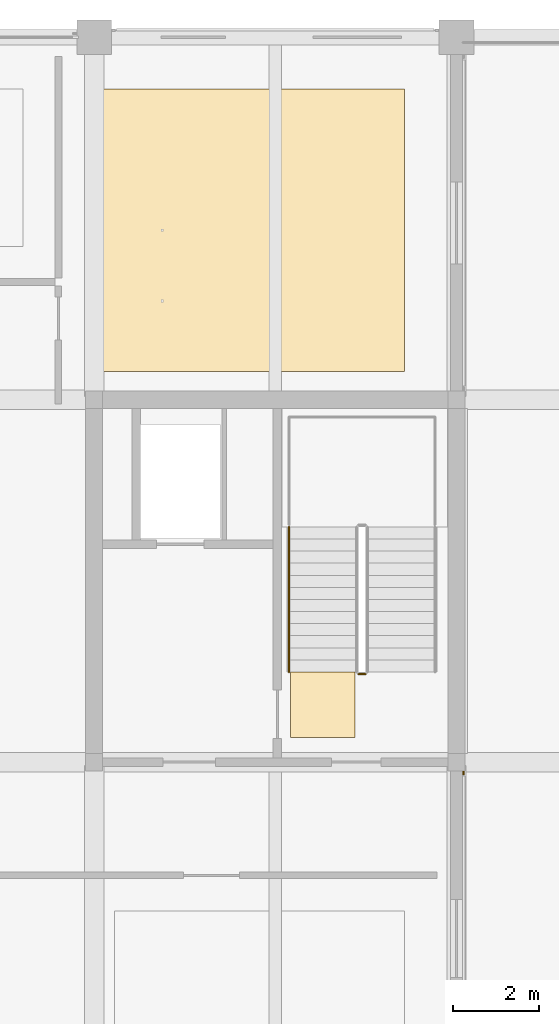
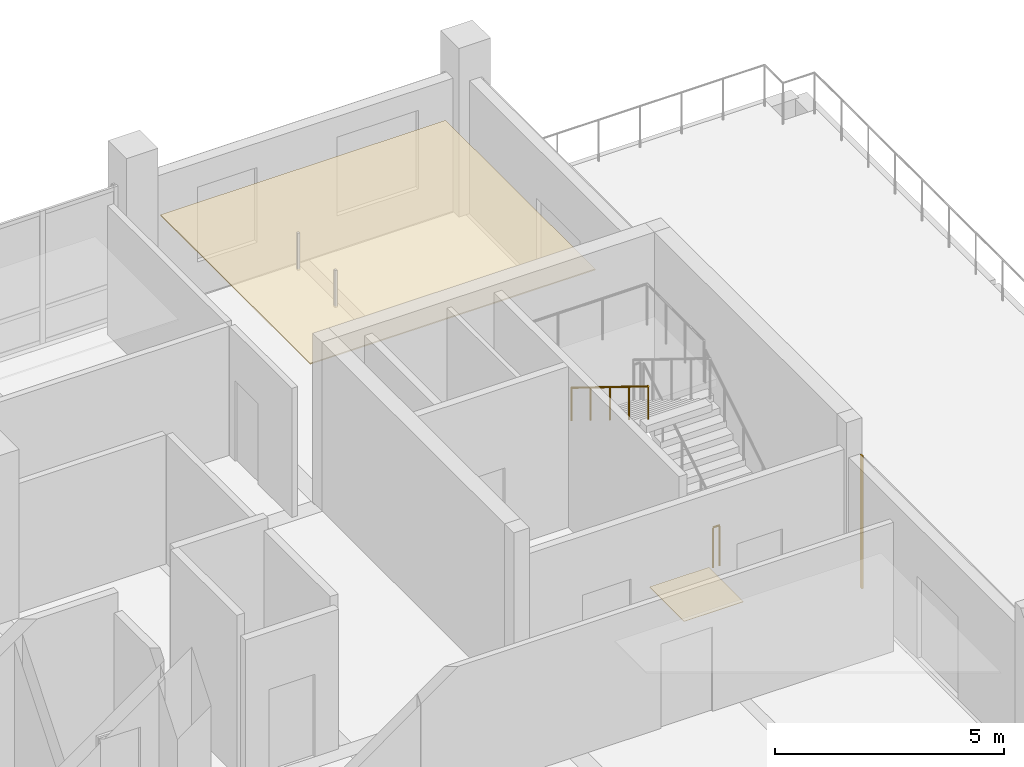
# One storey, part 31 of 36: 3 coverings, 2 railings.
"""IFC4 building model written with IfcOpenShell, lengths in metres."""

from ifc_helpers import new_model, si_unit, direction, frame, origin, origin_2d, place, context, subcontext, project, spatial, polyline, rectangle, circle, outline, extrude, material, layer, layer_set, type_object, element, save


model = new_model("IFC4")

# Units and contexts
model_context = context("Model", 3, precision=1e-05, world=origin(), true_north=direction((0.0, 1.0)))
body_context = subcontext(model_context, "Body", "Model", "MODEL_VIEW")
ifc_project = project(units=[si_unit("LENGTHUNIT", "METRE"), si_unit("AREAUNIT", "SQUARE_METRE"), si_unit("VOLUMEUNIT", "CUBIC_METRE"), si_unit("PLANEANGLEUNIT", "RADIAN"), si_unit("MASSUNIT", "GRAM", prefix="KILO")], contexts=[model_context])

# Site, building, storey
site_placement = place(None, origin())
site = spatial("IfcSite", under=ifc_project, at=site_placement, CompositionType="ELEMENT")
building_placement = place(site_placement, origin())
building = spatial("IfcBuilding", under=site, at=building_placement, Name="Telukmera Botanical Conservatory", CompositionType="ELEMENT")
storey_placement = place(building_placement, frame((0.0, 0.0, 33.0)))
storey = spatial("IfcBuildingStorey", under=building, at=storey_placement, Name="L07", CompositionType="ELEMENT", Elevation=33.0)

# Coverings
ifc_material_1 = material(Name="Mineral fibre acoustic ceiling")
ifc_layer_1 = layer(ifc_material_1, 0.030029296875)
ifc_layer_set_1 = layer_set([ifc_layer_1], Name="Mineral fibre acoustic ceiling")
covering_type_1 = type_object("IfcCoveringType", Name="COV-CEIL-30", PredefinedType="CEILING", material=ifc_layer_set_1)
covering_1_placement = place(storey_placement, frame((0.0, 0.0, 3.320068359375)))
element("IfcCovering", 1, at=covering_1_placement, inside=storey, type_object=covering_type_1, Name="L07 Laboratory Write-Up Studio Suspended Acoustic Ceiling", PredefinedType="CEILING", context=body_context, shape_type="SweptSolid", body=[
    extrude(outline(polyline([(92.39990234375, 35.050048828125), (99.60009765625, 35.050048828125), (99.60009765625, 41.60009765625), (92.39990234375, 41.60009765625), (92.39990234375, 35.050048828125)])), origin(), (0.0, 0.0, 1.0), 0.030029296875),
])
ifc_material_2 = material(Name="Honed granite non-slip flooring", Category="masonry")
ifc_layer_2 = layer(ifc_material_2, 0.011962890625)
ifc_layer_set_2 = layer_set([ifc_layer_2], Name="Honed granite non-slip flooring")
covering_type_2 = type_object("IfcCoveringType", Name="COV-FLR-12", PredefinedType="FLOORING", material=ifc_layer_set_2)
covering_2_placement = place(storey_placement, origin())
element("IfcCovering", 2, at=covering_2_placement, inside=storey, type_object=covering_type_2, Name="L07 ST2 Non-Slip Stair Landing Finish", PredefinedType="FLOORING", context=body_context, shape_type="SweptSolid", body=[
    extrude(outline(polyline([(98.449951171875, 26.570068359375), (98.449951171875, 28.0849609375), (96.949951171875, 28.0849609375), (96.949951171875, 26.570068359375), (98.449951171875, 26.570068359375)])), origin(), (0.0, 0.0, 1.0), 0.011962890625),
])
ifc_material_3 = material(Name="Granite-faced precast concrete C40/50", Category="masonry")
ifc_layer_3 = layer(ifc_material_3, 0.0400390625)
ifc_layer_set_3 = layer_set([ifc_layer_3], Name="Granite-faced precast concrete C40/50")
covering_type_3 = type_object("IfcCoveringType", Name="Granite Precast Column Pier Reveal Casing", PredefinedType="CLADDING", material=ifc_layer_set_3)
covering_3_placement = place(storey_placement, frame((100.9599609375, 25.748046875, 0.0), z_axis=(0.0, 0.0, 1.0), x_axis=(0.0, 1.0, 0.0)))
element("IfcCovering", 3, at=covering_3_placement, inside=storey, type_object=covering_type_3, Name="Granite Pier Reveal V4:L07:E2 R", PredefinedType="CLADDING", context=body_context, shape_type="SweptSolid", body=[
    extrude(rectangle(XDim=0.080078125, YDim=0.0400390625, at=origin_2d()), origin(), (0.0, 0.0, 1.0), 3.550048828125),
])

# Railings
ifc_material_4 = material(Name="Steel S355", Category="steel")
railing_type_1 = type_object("IfcRailingType", Name="RL-GUARD-1100", PredefinedType="GUARDRAIL", material=ifc_material_4)
railing_1_placement = place(storey_placement, frame((98.68994140625, 28.0400390625, 0.0)))
element("IfcRailing", 4, at=railing_1_placement, inside=storey, type_object=railing_type_1, Name="L07 ST2 stair guard 4", PredefinedType="GUARDRAIL", context=body_context, shape_type="SweptSolid", body=[
    extrude(circle(Radius=0.02392578125, at=origin_2d()), frame((0.0, 0.0, 1.076171875), z_axis=(-1.0, 0.0, 0.0), x_axis=(0.0, -1.0, 0.0)), (0.0, 0.0, 1.0), 0.159912109375),
    extrude(circle(Radius=0.02099609375, at=origin_2d()), origin(), (0.0, 0.0, 1.0), 1.052001953125),
    extrude(circle(Radius=0.02099609375, at=origin_2d()), frame((-0.159912109375, 0.0, 0.0)), (0.0, 0.0, 1.0), 1.052001953125),
])
ifc_material_5 = material(Name="Stainless steel 316", Category="steel")
railing_type_2 = type_object("IfcRailingType", Name="RL-HAND-900", PredefinedType="HANDRAIL", material=ifc_material_5)
railing_2_placement = place(storey_placement, frame((96.919921875, 31.449951171875, 2.423095703125)))
element("IfcRailing", 5, at=railing_2_placement, inside=storey, type_object=railing_type_2, Name="L07 ST2 stair handrail 2", PredefinedType="HANDRAIL", context=body_context, shape_type="SweptSolid", body=[
    extrude(circle(Radius=0.02392578125, at=origin_2d()), frame((0.0, 0.0, 0.8759765625), z_axis=(0.0, -0.850606129759, 0.525803396734), x_axis=(1.0, 0.0, 0.0)), (0.0, 0.0, 1.0), 3.949951171875),
    extrude(circle(Radius=0.02099609375, at=origin_2d()), origin(), (0.0, 0.0, 1.0), 0.851806640625),
    extrude(circle(Radius=0.02099609375, at=origin_2d()), frame((0.0, -0.83984375, 0.519287109375)), (0.0, 0.0, 1.0), 0.851806640625),
    extrude(circle(Radius=0.02099609375, at=origin_2d()), frame((0.0, -1.679931640625, 1.03857421875)), (0.0, 0.0, 1.0), 0.851806640625),
    extrude(circle(Radius=0.02099609375, at=origin_2d()), frame((0.0, -2.52001953125, 1.5576171875)), (0.0, 0.0, 1.0), 0.851806640625),
    extrude(circle(Radius=0.02099609375, at=origin_2d()), frame((0.0, -3.35986328125, 2.076904296875)), (0.0, 0.0, 1.0), 0.851806640625),
])

save(model, "model.ifc")
